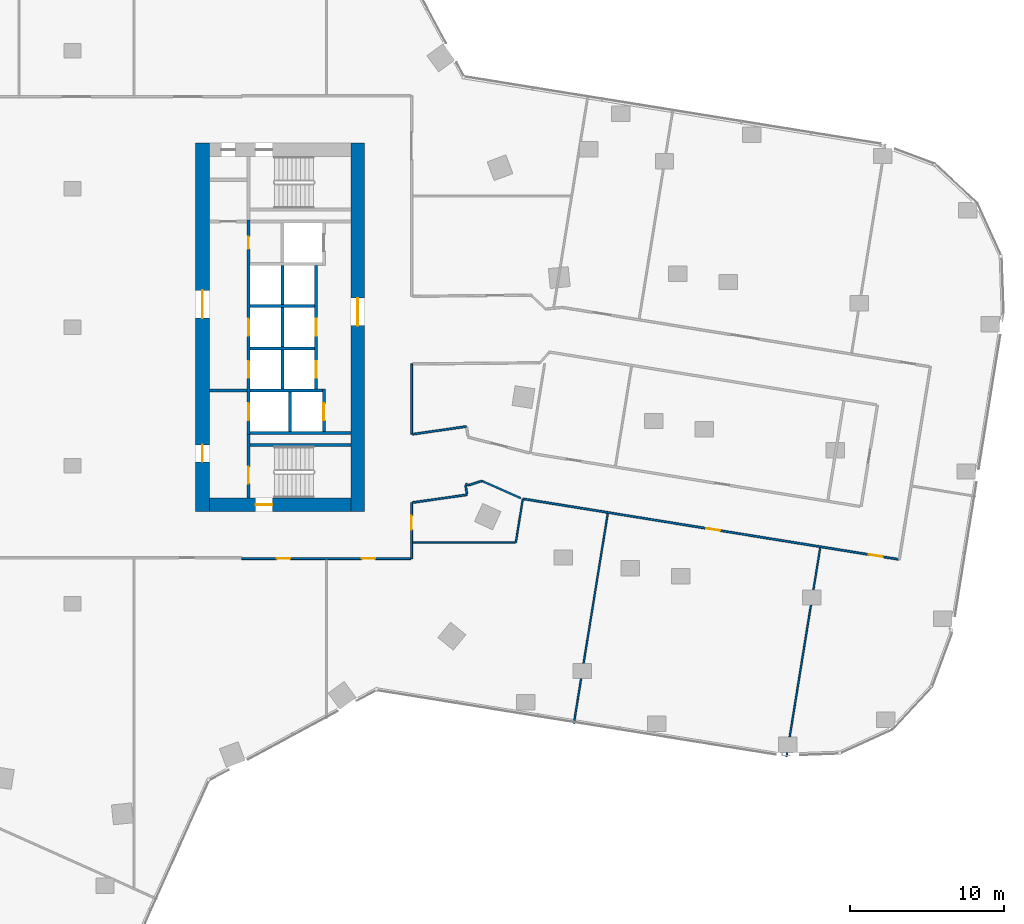
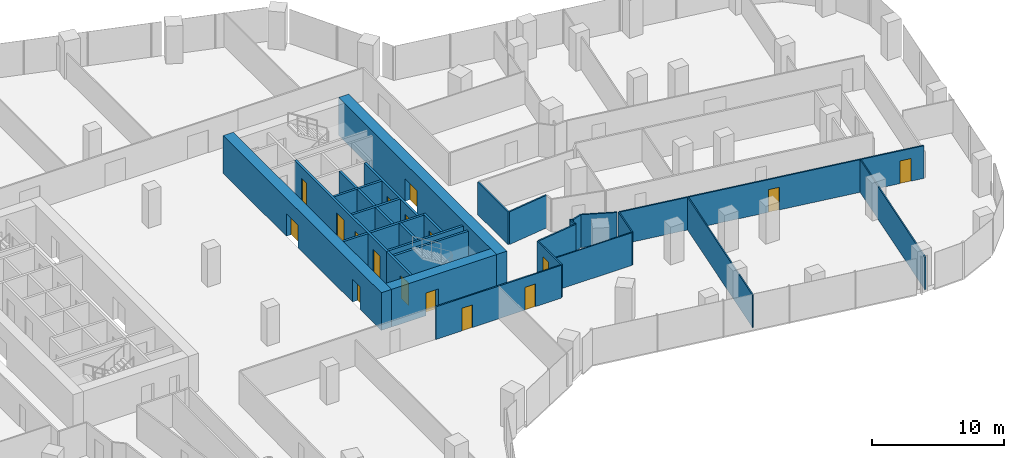
# One storey, part 27 of 34: 31 walls, 17 doors, 17 openings.
"""IFC4 building model written with IfcOpenShell, lengths in metres."""

from ifc_helpers import new_model, si_unit, direction, frame, frame_2d, origin, place, context, subcontext, project, spatial, rectangle, extrude, material, layer, layer_set, type_object, element, fill, save


model = new_model("IFC4")

# Units and contexts
model_context = context("Model", 3, precision=1e-05, world=origin(), true_north=direction((0.0, 1.0)))
body_context = subcontext(model_context, "Body", "Model", "MODEL_VIEW")
ifc_project = project(units=[si_unit("LENGTHUNIT", "METRE"), si_unit("AREAUNIT", "SQUARE_METRE"), si_unit("VOLUMEUNIT", "CUBIC_METRE"), si_unit("PLANEANGLEUNIT", "RADIAN"), si_unit("MASSUNIT", "GRAM", prefix="KILO")], contexts=[model_context])

# Site, building, storey
site_placement = place(None, origin())
site = spatial("IfcSite", under=ifc_project, at=site_placement, CompositionType="ELEMENT")
building_placement = place(site_placement, origin())
building = spatial("IfcBuilding", under=site, at=building_placement, Name="Orlundy Tower", CompositionType="ELEMENT")
storey_placement = place(building_placement, frame((0.0, 0.0, 134.199951171875)))
storey = spatial("IfcBuildingStorey", under=building, at=storey_placement, Name="L34", CompositionType="ELEMENT", Elevation=134.199951171875)

# Wall, opening, door
ifc_material_1 = material(Name="Concrete C80/95", Category="concrete")
ifc_layer_1 = layer(ifc_material_1, 0.89990234375)
ifc_layer_set_1 = layer_set([ifc_layer_1], Name="CORE WALL 900 C80/95")
wall_type_1 = type_object("IfcWallType", Name="CORE WALL 900 C80/95", PredefinedType="SHEAR", material=ifc_layer_set_1)
wall_1_placement = place(storey_placement, frame((8.89990234375, -11.550048828125, 0.0), z_axis=(0.0, 0.0, 1.0), x_axis=(1.0, 0.0, 0.0)))
wall_1 = element("IfcWall", 1, at=wall_1_placement, inside=storey, type_object=wall_type_1, Name="Core wall E-S L34", PredefinedType="SHEAR", context=body_context, shape_type="SweptSolid", body=[
    extrude(rectangle(XDim=9.2001953125, YDim=0.89990234375, at=frame_2d((4.60009765625, 0.0))), origin(), (0.0, 0.0, 1.0), 3.5),
])
opening_1_placement = place(wall_1_placement, frame((3.0, 0.0, 0.0)))
opening_1 = element("IfcOpeningElement", 2, at=opening_1_placement, cuts=wall_1, Name="Opening 26061", PredefinedType="OPENING", context=body_context, shape_type="SweptSolid", body=[
    extrude(rectangle(XDim=1.10009765625, YDim=2.10009765625, at=frame_2d((0.550048828125, 1.050048828125))), frame((0.0, 0.4599609375, 0.0), z_axis=(0.0, -1.0, 0.0), x_axis=(1.0, 0.0, 0.0)), (0.0, 0.0, 1.0), 0.919921875),
])
ifc_material_2 = material(Name="Steel door set", Category="steel")
door_type_1 = type_object("IfcDoorType", Name="Stair Door 1100x2100", OperationType="SINGLE_SWING_LEFT", PredefinedType="DOOR", material=ifc_material_2)
door_1_placement = place(opening_1_placement, origin())
door_1 = element("IfcDoor", 3, at=door_1_placement, inside=storey, type_object=door_type_1, Name="Stair door 26061", OperationType="SINGLE_SWING_LEFT", OverallHeight=2.10009765625, OverallWidth=1.10009765625, PredefinedType="DOOR", context=body_context, shape_type="SweptSolid", body=[
    extrude(rectangle(XDim=1.10009765625, YDim=2.10009765625, at=frame_2d((0.550048828125, 1.050048828125))), frame((0.0, 0.02490234375, 0.0), z_axis=(0.0, -1.0, 0.0), x_axis=(1.0, 0.0, 0.0)), (0.0, 0.0, 1.0), 0.050048828125),
])
fill(opening_1, door_1)

# Wall, openings, doors
wall_2_placement = place(storey_placement, frame((8.449951171875, -12.0, 0.0), z_axis=(0.0, 0.0, 1.0), x_axis=(0.0, 1.0, 0.0)))
wall_2 = element("IfcWall", 4, at=wall_2_placement, inside=storey, type_object=wall_type_1, Name="Core wall E-W L34", PredefinedType="SHEAR", context=body_context, shape_type="SweptSolid", body=[
    extrude(rectangle(XDim=24.0, YDim=0.89990234375, at=frame_2d((12.0, 0.0))), origin(), (0.0, 0.0, 1.0), 3.5),
])
opening_2_placement = place(wall_2_placement, frame((12.60009765625, 0.0, 0.0)))
opening_2 = element("IfcOpeningElement", 5, at=opening_2_placement, cuts=wall_2, Name="Opening 26058", PredefinedType="OPENING", context=body_context, shape_type="SweptSolid", body=[
    extrude(rectangle(XDim=1.800048828125, YDim=2.10009765625, at=frame_2d((0.89990234375, 1.050048828125))), frame((0.0, 0.4599609375, 0.0), z_axis=(0.0, -1.0, 0.0), x_axis=(1.0, 0.0, 0.0)), (0.0, 0.0, 1.0), 0.919921875),
])
opening_3_placement = place(wall_2_placement, frame((3.25, 0.0, 0.0)))
opening_3 = element("IfcOpeningElement", 6, at=opening_3_placement, cuts=wall_2, Name="Opening 26060", PredefinedType="OPENING", context=body_context, shape_type="SweptSolid", body=[
    extrude(rectangle(XDim=1.10009765625, YDim=2.10009765625, at=frame_2d((0.550048828125, 1.050048828125))), frame((0.0, 0.4599609375, 0.0), z_axis=(0.0, -1.0, 0.0), x_axis=(1.0, 0.0, 0.0)), (0.0, 0.0, 1.0), 0.919921875),
])
ifc_material_3 = material(Name="Steel door set", Category="steel")
door_type_2 = type_object("IfcDoorType", Name="Fire-fighting Lobby Door 1100x2100", OperationType="SINGLE_SWING_LEFT", PredefinedType="DOOR", material=ifc_material_3)
door_2_placement = place(opening_3_placement, origin())
door_2 = element("IfcDoor", 7, at=door_2_placement, inside=storey, type_object=door_type_2, Name="Fire-fighting lobby door 26060", OperationType="SINGLE_SWING_LEFT", OverallHeight=2.10009765625, OverallWidth=1.10009765625, PredefinedType="DOOR", context=body_context, shape_type="SweptSolid", body=[
    extrude(rectangle(XDim=1.10009765625, YDim=2.10009765625, at=frame_2d((0.550048828125, 1.050048828125))), frame((0.0, 0.02490234375, 0.0), z_axis=(0.0, -1.0, 0.0), x_axis=(1.0, 0.0, 0.0)), (0.0, 0.0, 1.0), 0.050048828125),
])
fill(opening_3, door_2)
ifc_material_4 = material(Name="Timber door set", Category="wood")
door_type_3 = type_object("IfcDoorType", Name="Lobby Door 1800x2100", OperationType="DOUBLE_DOOR_DOUBLE_SWING", PredefinedType="DOOR", material=ifc_material_4)
door_3_placement = place(opening_2_placement, origin())
door_3 = element("IfcDoor", 8, at=door_3_placement, inside=storey, type_object=door_type_3, Name="Lift lobby door 26058", OperationType="SINGLE_SWING_RIGHT", OverallHeight=2.10009765625, OverallWidth=1.800048828125, PredefinedType="DOOR", context=body_context, shape_type="SweptSolid", body=[
    extrude(rectangle(XDim=1.800048828125, YDim=2.10009765625, at=frame_2d((0.89990234375, 1.050048828125))), frame((0.0, 0.02490234375, 0.0), z_axis=(0.0, -1.0, 0.0), x_axis=(1.0, 0.0, 0.0)), (0.0, 0.0, 1.0), 0.050048828125),
])
fill(opening_2, door_3)

# Wall, opening, door
wall_3_placement = place(storey_placement, frame((18.550048828125, -12.0, 0.0), z_axis=(0.0, 0.0, 1.0), x_axis=(0.0, 1.0, 0.0)))
wall_3 = element("IfcWall", 9, at=wall_3_placement, inside=storey, type_object=wall_type_1, Name="Core wall E-E L34", PredefinedType="SHEAR", context=body_context, shape_type="SweptSolid", body=[
    extrude(rectangle(XDim=24.0, YDim=0.89990234375, at=frame_2d((12.0, 0.0))), origin(), (0.0, 0.0, 1.0), 3.5),
])
opening_4_placement = place(wall_3_placement, frame((12.10009765625, 0.0, 0.0)))
opening_4 = element("IfcOpeningElement", 10, at=opening_4_placement, cuts=wall_3, Name="Opening 26059", PredefinedType="OPENING", context=body_context, shape_type="SweptSolid", body=[
    extrude(rectangle(XDim=1.800048828125, YDim=2.10009765625, at=frame_2d((0.89990234375, 1.050048828125))), frame((0.0, 0.4599609375, 0.0), z_axis=(0.0, -1.0, 0.0), x_axis=(1.0, 0.0, 0.0)), (0.0, 0.0, 1.0), 0.919921875),
])
door_4_placement = place(opening_4_placement, origin())
door_4 = element("IfcDoor", 11, at=door_4_placement, inside=storey, type_object=door_type_3, Name="Lift lobby door 26059", OperationType="SINGLE_SWING_RIGHT", OverallHeight=2.10009765625, OverallWidth=1.800048828125, PredefinedType="DOOR", context=body_context, shape_type="SweptSolid", body=[
    extrude(rectangle(XDim=1.800048828125, YDim=2.10009765625, at=frame_2d((0.89990234375, 1.050048828125))), frame((0.0, 0.02490234375, 0.0), z_axis=(0.0, -1.0, 0.0), x_axis=(1.0, 0.0, 0.0)), (0.0, 0.0, 1.0), 0.050048828125),
])
fill(opening_4, door_4)

# Walls
ifc_material_5 = material(Name="Gypsum board partition")
ifc_layer_2 = layer(ifc_material_5, 0.10009765625)
ifc_layer_set_2 = layer_set([ifc_layer_2], Name="Floor partition 100")
wall_type_2 = type_object("IfcWallType", Name="Floor partition 100", PredefinedType="PARTITIONING", material=ifc_layer_set_2)
wall_4_placement = place(storey_placement, frame((22.113037109375, -14.0, 0.0), z_axis=(0.0, 0.0, 1.0), x_axis=(1.0, 0.0, 0.0)))
element("IfcWall", 12, at=wall_4_placement, inside=storey, type_object=wall_type_2, Name="wall-int-L34-036", PredefinedType="PARTITIONING", context=body_context, shape_type="SweptSolid", body=[
    extrude(rectangle(XDim=6.66796875, YDim=0.10009765625, at=frame_2d((3.333984375, 0.0))), origin(), (0.0, 0.0, 1.0), 3.030029296875),
])
wall_5_placement = place(storey_placement, frame((46.43994140625, -27.950927734375, 0.0), z_axis=(0.0, 0.0, 1.0), x_axis=(0.159329896372, 0.987225396818, 0.0)))
element("IfcWall", 13, at=wall_5_placement, inside=storey, type_object=wall_type_2, Name="wall-int-L34-064", PredefinedType="PARTITIONING", context=body_context, shape_type="SweptSolid", body=[
    extrude(rectangle(XDim=13.782958984375, YDim=0.10009765625, at=frame_2d((6.8916015625, 0.0))), origin(), (0.0, 0.0, 1.0), 3.030029296875),
])
wall_6_placement = place(storey_placement, frame((32.610107421875, -25.77392578125, 0.0), z_axis=(0.0, 0.0, 1.0), x_axis=(0.159346714874, 0.987222682306, 0.0)))
element("IfcWall", 14, at=wall_6_placement, inside=storey, type_object=wall_type_2, Name="wall-int-L34-067", PredefinedType="PARTITIONING", context=body_context, shape_type="SweptSolid", body=[
    extrude(rectangle(XDim=13.836669921875, YDim=0.10009765625, at=frame_2d((6.91845703125, 0.0))), origin(), (0.0, 0.0, 1.0), 3.030029296875),
])
wall_7_placement = place(storey_placement, frame((28.8310546875, -13.9990234375, 0.0), z_axis=(0.0, 0.0, 1.0), x_axis=(0.15953925726, 0.987191584948, 0.0)))
element("IfcWall", 15, at=wall_7_placement, inside=storey, type_object=wall_type_2, Name="wall-int-L34-070", PredefinedType="PARTITIONING", context=body_context, shape_type="SweptSolid", body=[
    extrude(rectangle(XDim=2.876953125, YDim=0.10009765625, at=frame_2d((1.4384765625, 0.0))), origin(), (0.0, 0.0, 1.0), 3.030029296875),
])
ifc_material_6 = material(Name="Gypsum board partition, double layer")
ifc_layer_3 = layer(ifc_material_6, 0.125)
ifc_layer_set_3 = layer_set([ifc_layer_3], Name="Floor partition 125")
wall_type_3 = type_object("IfcWallType", Name="Floor partition 125", PredefinedType="PARTITIONING", material=ifc_layer_set_3)
wall_8_placement = place(storey_placement, frame((25.571044921875, -10.299072265625, 0.0), z_axis=(0.0, 0.0, 1.0), x_axis=(0.141799477861, -0.989895402595, 0.0)))
element("IfcWall", 16, at=wall_8_placement, inside=storey, type_object=wall_type_3, Name="wall-int-L34-006", PredefinedType="PARTITIONING", context=body_context, shape_type="SweptSolid", body=[
    extrude(rectangle(XDim=0.542236328125, YDim=0.125, at=frame_2d((0.27099609375, 0.0))), origin(), (0.0, 0.0, 1.0), 3.030029296875),
])
wall_9_placement = place(storey_placement, frame((26.6259765625, -9.9990234375, 0.0), z_axis=(0.0, 0.0, 1.0), x_axis=(0.914493335472, -0.404600963145, 0.0)))
element("IfcWall", 17, at=wall_9_placement, inside=storey, type_object=wall_type_3, Name="wall-int-L34-010", PredefinedType="PARTITIONING", context=body_context, shape_type="SweptSolid", body=[
    extrude(rectangle(XDim=2.770751953125, YDim=0.125, at=frame_2d((1.38525390625, 0.0))), origin(), (0.0, 0.0, 1.0), 3.030029296875),
])
wall_10_placement = place(storey_placement, frame((25.55810546875, -10.2060546875, 0.0), z_axis=(0.0, 0.0, 1.0), x_axis=(0.968355193071, -0.249576080688, 0.0)))
element("IfcWall", 18, at=wall_10_placement, inside=storey, type_object=wall_type_3, Name="wall-int-L34-022", PredefinedType="PARTITIONING", context=body_context, shape_type="SweptSolid", body=[
    extrude(rectangle(XDim=0.24462890625, YDim=0.125, at=frame_2d((0.122314453125, 0.0))), origin(), (0.0, 0.0, 1.0), 3.030029296875),
])

# Wall, openings, doors
wall_11_placement = place(storey_placement, frame((53.719970703125, -15.096923828125, 0.0), z_axis=(0.0, 0.0, 1.0), x_axis=(-0.987256807208, 0.159135152063, 0.0)))
wall_11 = element("IfcWall", 19, at=wall_11_placement, inside=storey, type_object=wall_type_3, Name="wall-int-L34-024", PredefinedType="PARTITIONING", context=body_context, shape_type="SweptSolid", body=[
    extrude(rectangle(XDim=24.695556640625, YDim=0.125, at=frame_2d((12.34765625, 0.0))), origin(), (0.0, 0.0, 1.0), 3.030029296875),
])
opening_5_placement = place(wall_11_placement, frame((1.038818359375, 0.0, 0.0)))
opening_5 = element("IfcOpeningElement", 20, at=opening_5_placement, cuts=wall_11, Name="Opening 26105", PredefinedType="OPENING", context=body_context, shape_type="SweptSolid", body=[
    extrude(rectangle(XDim=0.89990234375, YDim=2.10009765625, at=frame_2d((0.449951171875, 1.050048828125))), frame((0.0, 0.072509765625, 0.0), z_axis=(0.0, -1.0, 0.0), x_axis=(1.0, 0.0, 0.0)), (0.0, 0.0, 1.0), 0.14501953125),
])
opening_6_placement = place(wall_11_placement, frame((11.7392578125, 0.0, 0.0)))
opening_6 = element("IfcOpeningElement", 21, at=opening_6_placement, cuts=wall_11, Name="Opening 26107", PredefinedType="OPENING", context=body_context, shape_type="SweptSolid", body=[
    extrude(rectangle(XDim=0.89990234375, YDim=2.10009765625, at=frame_2d((0.449951171875, 1.050048828125))), frame((0.0, 0.072509765625, 0.0), z_axis=(0.0, -1.0, 0.0), x_axis=(1.0, 0.0, 0.0)), (0.0, 0.0, 1.0), 0.14501953125),
])
ifc_material_7 = material(Name="Timber door leaf", Category="wood")
door_type_4 = type_object("IfcDoorType", Name="Floor door single 900 FD30S", OperationType="NOTDEFINED", PredefinedType="DOOR", material=ifc_material_7)
door_5_placement = place(opening_5_placement, origin())
door_5 = element("IfcDoor", 22, at=door_5_placement, inside=storey, type_object=door_type_4, Name="Door 26105", OperationType="SINGLE_SWING_LEFT", OverallHeight=2.10009765625, OverallWidth=0.89990234375, PredefinedType="DOOR", context=body_context, shape_type="SweptSolid", body=[
    extrude(rectangle(XDim=0.89990234375, YDim=2.10009765625, at=frame_2d((0.449951171875, 1.050048828125))), frame((0.0, 0.02490234375, 0.0), z_axis=(0.0, -1.0, 0.0), x_axis=(1.0, 0.0, 0.0)), (0.0, 0.0, 1.0), 0.050048828125),
])
fill(opening_5, door_5)
door_6_placement = place(opening_6_placement, origin())
door_6 = element("IfcDoor", 23, at=door_6_placement, inside=storey, type_object=door_type_4, Name="Door 26107", OperationType="SINGLE_SWING_LEFT", OverallHeight=2.10009765625, OverallWidth=0.89990234375, PredefinedType="DOOR", context=body_context, shape_type="SweptSolid", body=[
    extrude(rectangle(XDim=0.89990234375, YDim=2.10009765625, at=frame_2d((0.449951171875, 1.050048828125))), frame((0.0, 0.02490234375, 0.0), z_axis=(0.0, -1.0, 0.0), x_axis=(1.0, 0.0, 0.0)), (0.0, 0.0, 1.0), 0.050048828125),
])
fill(opening_6, door_6)

wall_12_placement = place(storey_placement, frame((21.988037109375, -15.051025390625, 0.0), z_axis=(0.0, 0.0, 1.0), x_axis=(-1.0, 0.0, 0.0)))
wall_12 = element("IfcWall", 24, at=wall_12_placement, inside=storey, type_object=wall_type_3, Name="wall-int-L34-033", PredefinedType="PARTITIONING", context=body_context, shape_type="SweptSolid", body=[
    extrude(rectangle(XDim=10.9970703125, YDim=0.125, at=frame_2d((5.49853515625, 0.0))), origin(), (0.0, 0.0, 1.0), 3.030029296875),
])
opening_7_placement = place(wall_12_placement, frame((7.81640625, 0.0, 0.0)))
opening_7 = element("IfcOpeningElement", 25, at=opening_7_placement, cuts=wall_12, Name="Opening 26124", PredefinedType="OPENING", context=body_context, shape_type="SweptSolid", body=[
    extrude(rectangle(XDim=0.89990234375, YDim=2.10009765625, at=frame_2d((0.449951171875, 1.050048828125))), frame((0.0, 0.072509765625, 0.0), z_axis=(0.0, -1.0, 0.0), x_axis=(1.0, 0.0, 0.0)), (0.0, 0.0, 1.0), 0.14501953125),
])
opening_8_placement = place(wall_12_placement, frame((2.28759765625, 0.0, 0.0)))
opening_8 = element("IfcOpeningElement", 26, at=opening_8_placement, cuts=wall_12, Name="Opening 26125", PredefinedType="OPENING", context=body_context, shape_type="SweptSolid", body=[
    extrude(rectangle(XDim=0.89990234375, YDim=2.10009765625, at=frame_2d((0.449951171875, 1.050048828125))), frame((0.0, 0.072509765625, 0.0), z_axis=(0.0, -1.0, 0.0), x_axis=(1.0, 0.0, 0.0)), (0.0, 0.0, 1.0), 0.14501953125),
])
door_7_placement = place(opening_7_placement, origin())
door_7 = element("IfcDoor", 27, at=door_7_placement, inside=storey, type_object=door_type_4, Name="Door 26124", OperationType="SINGLE_SWING_RIGHT", OverallHeight=2.10009765625, OverallWidth=0.89990234375, PredefinedType="DOOR", context=body_context, shape_type="SweptSolid", body=[
    extrude(rectangle(XDim=0.89990234375, YDim=2.10009765625, at=frame_2d((0.449951171875, 1.050048828125))), frame((0.0, 0.02490234375, 0.0), z_axis=(0.0, -1.0, 0.0), x_axis=(1.0, 0.0, 0.0)), (0.0, 0.0, 1.0), 0.050048828125),
])
fill(opening_7, door_7)
door_8_placement = place(opening_8_placement, origin())
door_8 = element("IfcDoor", 28, at=door_8_placement, inside=storey, type_object=door_type_4, Name="Door 26125", OperationType="SINGLE_SWING_LEFT", OverallHeight=2.10009765625, OverallWidth=0.89990234375, PredefinedType="DOOR", context=body_context, shape_type="SweptSolid", body=[
    extrude(rectangle(XDim=0.89990234375, YDim=2.10009765625, at=frame_2d((0.449951171875, 1.050048828125))), frame((0.0, 0.02490234375, 0.0), z_axis=(0.0, -1.0, 0.0), x_axis=(1.0, 0.0, 0.0)), (0.0, 0.0, 1.0), 0.050048828125),
])
fill(opening_8, door_8)

# Walls
wall_13_placement = place(storey_placement, frame((25.656982421875, -10.89892578125, 0.0), z_axis=(0.0, 0.0, 1.0), x_axis=(-0.989918099623, -0.141640940543, 0.0)))
element("IfcWall", 29, at=wall_13_placement, inside=storey, type_object=wall_type_3, Name="wall-int-L34-049", PredefinedType="PARTITIONING", context=body_context, shape_type="SweptSolid", body=[
    extrude(rectangle(XDim=3.580078125, YDim=0.125, at=frame_2d((1.7900390625, 0.0))), origin(), (0.0, 0.0, 1.0), 3.030029296875),
])
wall_14_placement = place(storey_placement, frame((22.113037109375, -6.9599609375, 0.0), z_axis=(0.0, 0.0, 1.0), x_axis=(0.989901265857, 0.141758540679, 0.0)))
element("IfcWall", 30, at=wall_14_placement, inside=storey, type_object=wall_type_3, Name="wall-int-L34-050", PredefinedType="PARTITIONING", context=body_context, shape_type="SweptSolid", body=[
    extrude(rectangle(XDim=3.5478515625, YDim=0.125, at=frame_2d((1.77392578125, 0.0))), origin(), (0.0, 0.0, 1.0), 3.030029296875),
])
wall_15_placement = place(storey_placement, frame((25.7958984375, -10.26708984375, 0.0), z_axis=(0.0, 0.0, 1.0), x_axis=(0.951608325535, 0.307313512187, 0.0)))
element("IfcWall", 31, at=wall_15_placement, inside=storey, type_object=wall_type_3, Name="wall-int-L34-053", PredefinedType="PARTITIONING", context=body_context, shape_type="SweptSolid", body=[
    extrude(rectangle(XDim=0.872314453125, YDim=0.125, at=frame_2d((0.43603515625, 0.0))), origin(), (0.0, 0.0, 1.0), 3.030029296875),
])

# Wall, opening, door
wall_16_placement = place(storey_placement, frame((22.051025390625, -11.4150390625, 0.0), z_axis=(0.0, 0.0, 1.0), x_axis=(0.0, -1.0, 0.0)))
wall_16 = element("IfcWall", 32, at=wall_16_placement, inside=storey, type_object=wall_type_3, Name="wall-int-L34-076", PredefinedType="PARTITIONING", context=body_context, shape_type="SweptSolid", body=[
    extrude(rectangle(XDim=3.634033203125, YDim=0.125, at=frame_2d((1.81689453125, 0.0))), origin(), (0.0, 0.0, 1.0), 3.030029296875),
])
opening_9_placement = place(wall_16_placement, frame((0.85009765625, 0.0, 0.0)))
opening_9 = element("IfcOpeningElement", 33, at=opening_9_placement, cuts=wall_16, Name="Opening 26126", PredefinedType="OPENING", context=body_context, shape_type="SweptSolid", body=[
    extrude(rectangle(XDim=0.89990234375, YDim=2.10009765625, at=frame_2d((0.449951171875, 1.050048828125))), frame((0.0, 0.072509765625, 0.0), z_axis=(0.0, -1.0, 0.0), x_axis=(1.0, 0.0, 0.0)), (0.0, 0.0, 1.0), 0.14501953125),
])
door_9_placement = place(opening_9_placement, origin())
door_9 = element("IfcDoor", 34, at=door_9_placement, inside=storey, type_object=door_type_4, Name="Door 26126", OperationType="SINGLE_SWING_LEFT", OverallHeight=2.10009765625, OverallWidth=0.89990234375, PredefinedType="DOOR", context=body_context, shape_type="SweptSolid", body=[
    extrude(rectangle(XDim=0.89990234375, YDim=2.10009765625, at=frame_2d((0.449951171875, 1.050048828125))), frame((0.0, 0.02490234375, 0.0), z_axis=(0.0, -1.0, 0.0), x_axis=(1.0, 0.0, 0.0)), (0.0, 0.0, 1.0), 0.050048828125),
])
fill(opening_9, door_9)

# Walls
wall_17_placement = place(storey_placement, frame((22.051025390625, -6.968994140625, 0.0), z_axis=(0.0, 0.0, 1.0), x_axis=(0.0, 1.0, 0.0)))
element("IfcWall", 35, at=wall_17_placement, inside=storey, type_object=wall_type_3, Name="wall-int-L34-077", PredefinedType="PARTITIONING", context=body_context, shape_type="SweptSolid", body=[
    extrude(rectangle(XDim=4.58203125, YDim=0.125, at=frame_2d((2.291015625, 0.0))), origin(), (0.0, 0.0, 1.0), 3.030029296875),
])
ifc_material_8 = material(Name="Concrete C40/50", Category="concrete")
ifc_layer_4 = layer(ifc_material_8, 0.199951171875)
ifc_layer_set_4 = layer_set([ifc_layer_4], Name="Load-bearing Shaft Wall 200")
wall_type_4 = type_object("IfcWallType", Name="Load-bearing Shaft Wall 200", PredefinedType="SOLIDWALL", material=ifc_layer_set_4)
wall_18_placement = place(storey_placement, frame((11.5400390625, -6.875, 0.0), z_axis=(0.0, 0.0, 1.0), x_axis=(1.0, 0.0, 0.0)))
element("IfcWall", 36, at=wall_18_placement, inside=storey, type_object=wall_type_4, Name="Shaft wall E26-zone-n", PredefinedType="SOLIDWALL", context=body_context, shape_type="SweptSolid", body=[
    extrude(rectangle(XDim=6.56005859375, YDim=0.199951171875, at=frame_2d((3.280029296875, 0.0))), origin(), (0.0, 0.0, 1.0), 3.090087890625),
])
for number, where, z_axis, x_axis, name in (
    (37, (11.5400390625, 1.375, 0.0), (0.0, 0.0, 1.0), (1.0, 0.0, 0.0), "Shaft wall E26-cross-1.375"),
    (38, (11.5400390625, -1.375, 0.0), (0.0, 0.0, 1.0), (1.0, 0.0, 0.0), "Shaft wall E26-cross+1.375"),
):
    element("IfcWall", number, at=place(storey_placement, frame(where, z_axis=z_axis, x_axis=x_axis)), inside=storey, type_object=wall_type_4, Name=name, PredefinedType="SOLIDWALL", context=body_context, shape_type="SweptSolid", body=[
        extrude(rectangle(XDim=4.199951171875, YDim=0.199951171875, at=frame_2d((2.10009765625, 0.0))), origin(), (0.0, 0.0, 1.0), 3.090087890625),
    ])
wall_19_placement = place(storey_placement, frame((11.5400390625, -4.125, 0.0), z_axis=(0.0, 0.0, 1.0), x_axis=(1.0, 0.0, 0.0)))
element("IfcWall", 39, at=wall_19_placement, inside=storey, type_object=wall_type_4, Name="Shaft wall E26-cross+4.125", PredefinedType="SOLIDWALL", context=body_context, shape_type="SweptSolid", body=[
    extrude(rectangle(XDim=4.699951171875, YDim=0.199951171875, at=frame_2d((2.35009765625, 0.0))), origin(), (0.0, 0.0, 1.0), 3.090087890625),
])

# Wall, openings, doors
wall_20_placement = place(storey_placement, frame((11.43994140625, 6.97509765625, 0.0), z_axis=(0.0, 0.0, 1.0), x_axis=(0.0, -1.0, 0.0)))
wall_20 = element("IfcWall", 40, at=wall_20_placement, inside=storey, type_object=wall_type_4, Name="Shaft wall E26-front-h", PredefinedType="SOLIDWALL", context=body_context, shape_type="SweptSolid", body=[
    extrude(rectangle(XDim=13.9501953125, YDim=0.199951171875, at=frame_2d((6.97509765625, 0.0))), origin(), (0.0, 0.0, 1.0), 3.090087890625),
])
opening_10_placement = place(wall_20_placement, frame((6.425048828125, 0.0, 0.0)))
opening_10 = element("IfcOpeningElement", 41, at=opening_10_placement, cuts=wall_20, Name="Opening 26051", PredefinedType="OPENING", context=body_context, shape_type="SweptSolid", body=[
    extrude(rectangle(XDim=1.10009765625, YDim=2.10009765625, at=frame_2d((0.550048828125, 1.050048828125))), frame((0.0, 0.110107421875, 0.0), z_axis=(0.0, -1.0, 0.0), x_axis=(1.0, 0.0, 0.0)), (0.0, 0.0, 1.0), 0.22021484375),
])
opening_11_placement = place(wall_20_placement, frame((9.175048828125, 0.0, 0.0)))
opening_11 = element("IfcOpeningElement", 42, at=opening_11_placement, cuts=wall_20, Name="Opening 26053", PredefinedType="OPENING", context=body_context, shape_type="SweptSolid", body=[
    extrude(rectangle(XDim=1.10009765625, YDim=2.10009765625, at=frame_2d((0.550048828125, 1.050048828125))), frame((0.0, 0.110107421875, 0.0), z_axis=(0.0, -1.0, 0.0), x_axis=(1.0, 0.0, 0.0)), (0.0, 0.0, 1.0), 0.22021484375),
])
opening_12_placement = place(wall_20_placement, frame((11.925048828125, 0.0, 0.0)))
opening_12 = element("IfcOpeningElement", 43, at=opening_12_placement, cuts=wall_20, Name="Opening 26055", PredefinedType="OPENING", context=body_context, shape_type="SweptSolid", body=[
    extrude(rectangle(XDim=1.10009765625, YDim=2.10009765625, at=frame_2d((0.550048828125, 1.050048828125))), frame((0.0, 0.110107421875, 0.0), z_axis=(0.0, -1.0, 0.0), x_axis=(1.0, 0.0, 0.0)), (0.0, 0.0, 1.0), 0.22021484375),
])
opening_13_placement = place(wall_20_placement, frame((1.074951171875, 0.0, 0.0)))
opening_13 = element("IfcOpeningElement", 44, at=opening_13_placement, cuts=wall_20, Name="Opening 26057", PredefinedType="OPENING", context=body_context, shape_type="SweptSolid", body=[
    extrude(rectangle(XDim=0.800048828125, YDim=2.10009765625, at=frame_2d((0.39990234375, 1.050048828125))), frame((0.0, 0.110107421875, 0.0), z_axis=(0.0, -1.0, 0.0), x_axis=(1.0, 0.0, 0.0)), (0.0, 0.0, 1.0), 0.22021484375),
])
ifc_material_9 = material(Name="Steel door set", Category="steel")
door_type_5 = type_object("IfcDoorType", Name="Landing Door 1100x2100", OperationType="DOUBLE_DOOR_SLIDING", PredefinedType="DOOR", material=ifc_material_9)
door_10_placement = place(opening_10_placement, origin())
door_10 = element("IfcDoor", 45, at=door_10_placement, inside=storey, type_object=door_type_5, Name="Lift landing door LP-10 26051", OperationType="DOUBLE_DOOR_SLIDING", OverallHeight=2.10009765625, OverallWidth=1.10009765625, PredefinedType="DOOR", context=body_context, shape_type="SweptSolid", body=[
    extrude(rectangle(XDim=1.10009765625, YDim=2.10009765625, at=frame_2d((0.550048828125, 1.050048828125))), frame((0.0, 0.02490234375, 0.0), z_axis=(0.0, -1.0, 0.0), x_axis=(1.0, 0.0, 0.0)), (0.0, 0.0, 1.0), 0.050048828125),
])
fill(opening_10, door_10)
door_11_placement = place(opening_11_placement, origin())
door_11 = element("IfcDoor", 46, at=door_11_placement, inside=storey, type_object=door_type_5, Name="Lift landing door LP-07 26053", OperationType="DOUBLE_DOOR_SLIDING", OverallHeight=2.10009765625, OverallWidth=1.10009765625, PredefinedType="DOOR", context=body_context, shape_type="SweptSolid", body=[
    extrude(rectangle(XDim=1.10009765625, YDim=2.10009765625, at=frame_2d((0.550048828125, 1.050048828125))), frame((0.0, 0.02490234375, 0.0), z_axis=(0.0, -1.0, 0.0), x_axis=(1.0, 0.0, 0.0)), (0.0, 0.0, 1.0), 0.050048828125),
])
fill(opening_11, door_11)
door_12_placement = place(opening_12_placement, origin())
door_12 = element("IfcDoor", 47, at=door_12_placement, inside=storey, type_object=door_type_5, Name="Lift landing door FL2 26055", OperationType="DOUBLE_DOOR_SLIDING", OverallHeight=2.10009765625, OverallWidth=1.10009765625, PredefinedType="DOOR", context=body_context, shape_type="SweptSolid", body=[
    extrude(rectangle(XDim=1.10009765625, YDim=2.10009765625, at=frame_2d((0.550048828125, 1.050048828125))), frame((0.0, 0.02490234375, 0.0), z_axis=(0.0, -1.0, 0.0), x_axis=(1.0, 0.0, 0.0)), (0.0, 0.0, 1.0), 0.050048828125),
])
fill(opening_12, door_12)
ifc_material_10 = material(Name="Timber door set", Category="wood")
door_type_6 = type_object("IfcDoorType", Name="Riser Door 800x2100", OperationType="SINGLE_SWING_LEFT", PredefinedType="DOOR", material=ifc_material_10)
door_13_placement = place(opening_13_placement, origin())
door_13 = element("IfcDoor", 48, at=door_13_placement, inside=storey, type_object=door_type_6, Name="Telecom Room door 26057", OperationType="SINGLE_SWING_LEFT", OverallHeight=2.10009765625, OverallWidth=0.800048828125, PredefinedType="DOOR", context=body_context, shape_type="SweptSolid", body=[
    extrude(rectangle(XDim=0.800048828125, YDim=2.10009765625, at=frame_2d((0.39990234375, 1.050048828125))), frame((0.0, 0.02490234375, 0.0), z_axis=(0.0, -1.0, 0.0), x_axis=(1.0, 0.0, 0.0)), (0.0, 0.0, 1.0), 0.050048828125),
])
fill(opening_13, door_13)

# Walls
for number, where, z_axis, x_axis, name in (
    (49, (13.639892578125, 4.02490234375, 0.0), (0.0, 0.0, 1.0), (0.0, -1.0, 0.0), "Shaft wall E26-mid-a.1"),
    (50, (13.639892578125, 1.27490234375, 0.0), (0.0, 0.0, 1.0), (0.0, -1.0, 0.0), "Shaft wall E26-mid-a.2"),
    (51, (13.639892578125, -1.47509765625, 0.0), (0.0, 0.0, 1.0), (0.0, -1.0, 0.0), "Shaft wall E26-mid-a.3"),
    (52, (14.139892578125, -4.22509765625, 0.0), (0.0, 0.0, 1.0), (0.0, -1.0, 0.0), "Shaft wall E26-mid-b"),
):
    element("IfcWall", number, at=place(storey_placement, frame(where, z_axis=z_axis, x_axis=x_axis)), inside=storey, type_object=wall_type_4, Name=name, PredefinedType="SOLIDWALL", context=body_context, shape_type="SweptSolid", body=[
        extrude(rectangle(XDim=2.5498046875, YDim=0.199951171875, at=frame_2d((1.27490234375, 0.0))), origin(), (0.0, 0.0, 1.0), 3.090087890625),
    ])

# Wall, openings, doors
wall_21_placement = place(storey_placement, frame((15.840087890625, 4.02490234375, 0.0), z_axis=(0.0, 0.0, 1.0), x_axis=(0.0, -1.0, 0.0)))
wall_21 = element("IfcWall", 53, at=wall_21_placement, inside=storey, type_object=wall_type_4, Name="Shaft wall E26-front-o-b", PredefinedType="SOLIDWALL", context=body_context, shape_type="SweptSolid", body=[
    extrude(rectangle(XDim=8.0498046875, YDim=0.199951171875, at=frame_2d((4.02490234375, 0.0))), origin(), (0.0, 0.0, 1.0), 3.090087890625),
])
opening_14_placement = place(wall_21_placement, frame((3.47509765625, 0.0, 0.0)))
opening_14 = element("IfcOpeningElement", 54, at=opening_14_placement, cuts=wall_21, Name="Opening 26052", PredefinedType="OPENING", context=body_context, shape_type="SweptSolid", body=[
    extrude(rectangle(XDim=1.10009765625, YDim=2.10009765625, at=frame_2d((0.550048828125, 1.050048828125))), frame((0.0, 0.110107421875, 0.0), z_axis=(0.0, -1.0, 0.0), x_axis=(1.0, 0.0, 0.0)), (0.0, 0.0, 1.0), 0.22021484375),
])
opening_15_placement = place(wall_21_placement, frame((6.22509765625, 0.0, 0.0)))
opening_15 = element("IfcOpeningElement", 55, at=opening_15_placement, cuts=wall_21, Name="Opening 26054", PredefinedType="OPENING", context=body_context, shape_type="SweptSolid", body=[
    extrude(rectangle(XDim=1.10009765625, YDim=2.10009765625, at=frame_2d((0.550048828125, 1.050048828125))), frame((0.0, 0.110107421875, 0.0), z_axis=(0.0, -1.0, 0.0), x_axis=(1.0, 0.0, 0.0)), (0.0, 0.0, 1.0), 0.22021484375),
])
door_14_placement = place(opening_14_placement, origin())
door_14 = element("IfcDoor", 56, at=door_14_placement, inside=storey, type_object=door_type_5, Name="Lift landing door LP-06 26052", OperationType="DOUBLE_DOOR_SLIDING", OverallHeight=2.10009765625, OverallWidth=1.10009765625, PredefinedType="DOOR", context=body_context, shape_type="SweptSolid", body=[
    extrude(rectangle(XDim=1.10009765625, YDim=2.10009765625, at=frame_2d((0.550048828125, 1.050048828125))), frame((0.0, 0.02490234375, 0.0), z_axis=(0.0, -1.0, 0.0), x_axis=(1.0, 0.0, 0.0)), (0.0, 0.0, 1.0), 0.050048828125),
])
fill(opening_14, door_14)
door_15_placement = place(opening_15_placement, origin())
door_15 = element("IfcDoor", 57, at=door_15_placement, inside=storey, type_object=door_type_5, Name="Lift landing door LP-08 26054", OperationType="DOUBLE_DOOR_SLIDING", OverallHeight=2.10009765625, OverallWidth=1.10009765625, PredefinedType="DOOR", context=body_context, shape_type="SweptSolid", body=[
    extrude(rectangle(XDim=1.10009765625, YDim=2.10009765625, at=frame_2d((0.550048828125, 1.050048828125))), frame((0.0, 0.02490234375, 0.0), z_axis=(0.0, -1.0, 0.0), x_axis=(1.0, 0.0, 0.0)), (0.0, 0.0, 1.0), 0.050048828125),
])
fill(opening_15, door_15)

# Wall, opening, door
wall_22_placement = place(storey_placement, frame((16.340087890625, -4.02490234375, 0.0), z_axis=(0.0, 0.0, 1.0), x_axis=(0.0, -1.0, 0.0)))
wall_22 = element("IfcWall", 58, at=wall_22_placement, inside=storey, type_object=wall_type_4, Name="Shaft wall E26-front-o-c", PredefinedType="SOLIDWALL", context=body_context, shape_type="SweptSolid", body=[
    extrude(rectangle(XDim=2.75, YDim=0.199951171875, at=frame_2d((1.375, 0.0))), origin(), (0.0, 0.0, 1.0), 3.090087890625),
])
opening_16_placement = place(wall_22_placement, frame((0.925048828125, 0.0, 0.0)))
opening_16 = element("IfcOpeningElement", 59, at=opening_16_placement, cuts=wall_22, Name="Opening 26056", PredefinedType="OPENING", context=body_context, shape_type="SweptSolid", body=[
    extrude(rectangle(XDim=1.10009765625, YDim=2.10009765625, at=frame_2d((0.550048828125, 1.050048828125))), frame((0.0, 0.110107421875, 0.0), z_axis=(0.0, -1.0, 0.0), x_axis=(1.0, 0.0, 0.0)), (0.0, 0.0, 1.0), 0.22021484375),
])
door_16_placement = place(opening_16_placement, origin())
door_16 = element("IfcDoor", 60, at=door_16_placement, inside=storey, type_object=door_type_5, Name="Lift landing door LP-09 26056", OperationType="DOUBLE_DOOR_SLIDING", OverallHeight=2.10009765625, OverallWidth=1.10009765625, PredefinedType="DOOR", context=body_context, shape_type="SweptSolid", body=[
    extrude(rectangle(XDim=1.10009765625, YDim=2.10009765625, at=frame_2d((0.550048828125, 1.050048828125))), frame((0.0, 0.02490234375, 0.0), z_axis=(0.0, -1.0, 0.0), x_axis=(1.0, 0.0, 0.0)), (0.0, 0.0, 1.0), 0.050048828125),
])
fill(opening_16, door_16)

wall_23_placement = place(storey_placement, frame((11.43994140625, -6.97509765625, 0.0), z_axis=(0.0, 0.0, 1.0), x_axis=(0.0, -1.0, 0.0)))
wall_23 = element("IfcWall", 61, at=wall_23_placement, inside=storey, type_object=wall_type_4, Name="Shaft wall E26-stair-end-n", PredefinedType="SOLIDWALL", context=body_context, shape_type="SweptSolid", body=[
    extrude(rectangle(XDim=4.125, YDim=0.199951171875, at=frame_2d((2.0625, 0.0))), origin(), (0.0, 0.0, 1.0), 3.090087890625),
])
opening_17_placement = place(wall_23_placement, frame((2.10009765625, 0.0, 0.0)))
opening_17 = element("IfcOpeningElement", 62, at=opening_17_placement, cuts=wall_23, Name="Opening 26063", PredefinedType="OPENING", context=body_context, shape_type="SweptSolid", body=[
    extrude(rectangle(XDim=1.10009765625, YDim=2.10009765625, at=frame_2d((0.550048828125, 1.050048828125))), frame((0.0, 0.110107421875, 0.0), z_axis=(0.0, -1.0, 0.0), x_axis=(1.0, 0.0, 0.0)), (0.0, 0.0, 1.0), 0.22021484375),
])
door_17_placement = place(opening_17_placement, origin())
door_17 = element("IfcDoor", 63, at=door_17_placement, inside=storey, type_object=door_type_2, Name="Fire-fighting lobby to stair door 26063", OperationType="SINGLE_SWING_RIGHT", OverallHeight=2.10009765625, OverallWidth=1.10009765625, PredefinedType="DOOR", context=body_context, shape_type="SweptSolid", body=[
    extrude(rectangle(XDim=1.10009765625, YDim=2.10009765625, at=frame_2d((0.550048828125, 1.050048828125))), frame((0.0, 0.02490234375, 0.0), z_axis=(0.0, -1.0, 0.0), x_axis=(1.0, 0.0, 0.0)), (0.0, 0.0, 1.0), 0.050048828125),
])
fill(opening_17, door_17)

# Walls
wall_24_placement = place(storey_placement, frame((11.5400390625, -7.64990234375, 0.0), z_axis=(0.0, 0.0, 1.0), x_axis=(1.0, 0.0, 0.0)))
element("IfcWall", 64, at=wall_24_placement, inside=storey, type_object=wall_type_4, Name="Shaft wall E26-stair-side-n", PredefinedType="SOLIDWALL", context=body_context, shape_type="SweptSolid", body=[
    extrude(rectangle(XDim=6.56005859375, YDim=0.199951171875, at=frame_2d((3.280029296875, 0.0))), origin(), (0.0, 0.0, 1.0), 3.090087890625),
])
ifc_material_11 = material(Name="Gypsum board partition on steel studs", Category="steel")
ifc_layer_5 = layer(ifc_material_11, 0.199951171875)
ifc_layer_set_5 = layer_set([ifc_layer_5], Name="Partition 200")
wall_type_5 = type_object("IfcWallType", Name="Partition 200", PredefinedType="PARTITIONING", material=ifc_layer_set_5)
wall_25_placement = place(storey_placement, frame((8.89990234375, -4.125, 0.0), z_axis=(0.0, 0.0, 1.0), x_axis=(1.0, 0.0, 0.0)))
element("IfcWall", 65, at=wall_25_placement, inside=storey, type_object=wall_type_5, Name="Partition wall E26-lobby-n", PredefinedType="PARTITIONING", context=body_context, shape_type="SweptSolid", body=[
    extrude(rectangle(XDim=2.440185546875, YDim=0.199951171875, at=frame_2d((1.22021484375, 0.0))), origin(), (0.0, 0.0, 1.0), 3.090087890625),
])

save(model, "model.ifc")
